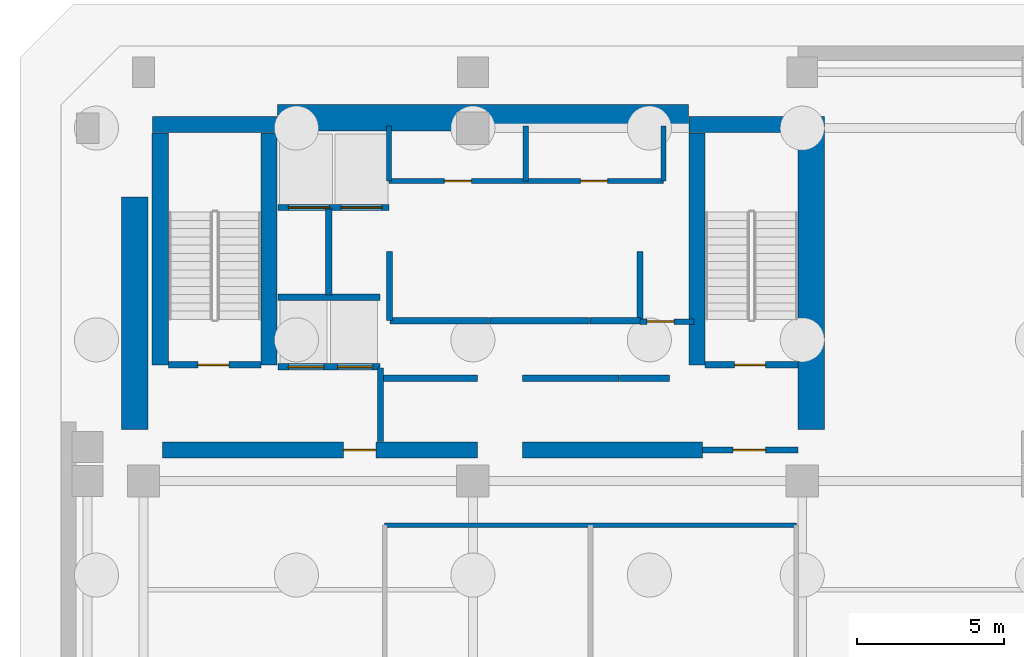
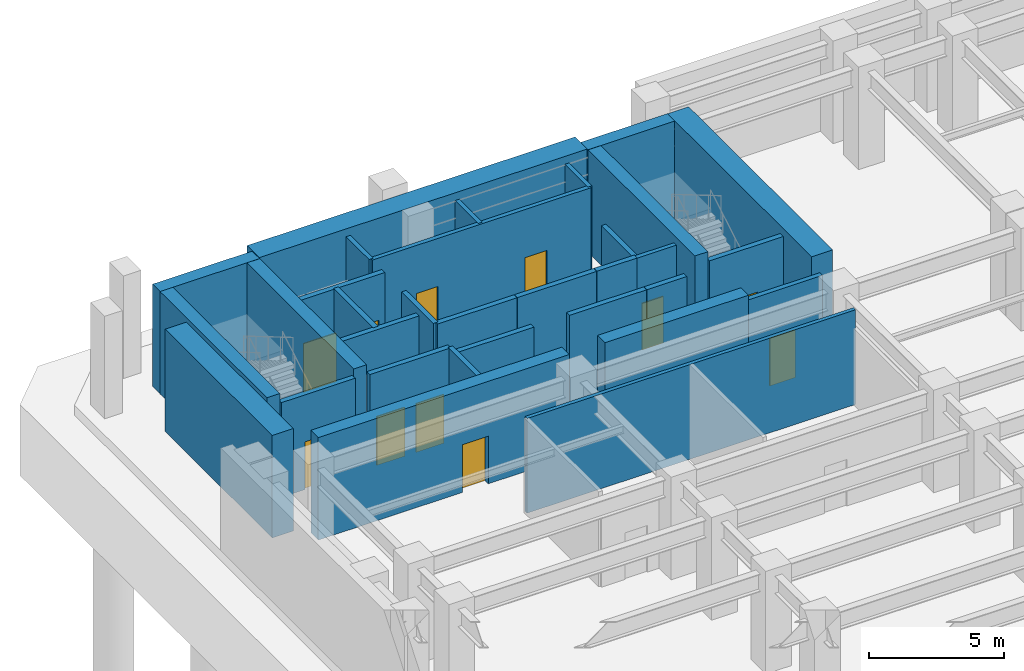
# One storey, part 8 of 13: 32 walls, 11 doors, 11 openings.
"""IFC4 building model written with IfcOpenShell, lengths in metres."""

from ifc_helpers import new_model, si_unit, direction, frame, frame_2d, origin, place, context, subcontext, project, spatial, rectangle, extrude, material, layer, layer_set, type_object, element, fill, save


model = new_model("IFC4")

# Units and contexts
model_context = context("Model", 3, precision=1e-05, world=origin(), true_north=direction((0.0, 1.0)))
body_context = subcontext(model_context, "Body", "Model", "MODEL_VIEW")
ifc_project = project(units=[si_unit("LENGTHUNIT", "METRE"), si_unit("AREAUNIT", "SQUARE_METRE"), si_unit("VOLUMEUNIT", "CUBIC_METRE"), si_unit("PLANEANGLEUNIT", "RADIAN"), si_unit("MASSUNIT", "GRAM", prefix="KILO")], contexts=[model_context])

# Site, building, storey
site_placement = place(None, origin())
site = spatial("IfcSite", under=ifc_project, at=site_placement, CompositionType="ELEMENT")
building_placement = place(site_placement, origin())
building = spatial("IfcBuilding", under=site, at=building_placement, Name="Kefirva Bronze Tower", CompositionType="ELEMENT")
storey_placement = place(building_placement, frame((0.0, 0.0, -9.239990234375)))
storey = spatial("IfcBuildingStorey", under=building, at=storey_placement, Name="B2", CompositionType="ELEMENT", Elevation=-9.239990234375)

# Wall, opening, door
ifc_material_1 = material(Name="Gypsum fireboard shaftwall")
ifc_layer_1 = layer(ifc_material_1, 0.219970703125, Name="Gypsum fireboard shaftwall")
ifc_layer_set_1 = layer_set([ifc_layer_1], Name="Gypsum fireboard shaftwall")
wall_type_1 = type_object("IfcWallType", Name="Fire-Rated Shaft Enclosure Wall 220mm", PredefinedType="PARTITIONING", material=ifc_layer_set_1)
wall_1_placement = place(storey_placement, frame((1.64990234375, 37.14990234375, 0.0), z_axis=(0.0, 0.0, 1.0), x_axis=(1.0, 0.0, 0.0)))
wall_1 = element("IfcWall", 1, at=wall_1_placement, inside=storey, type_object=wall_type_1, Name="B2 Partition W-B2-ST1S", PredefinedType="PARTITIONING", context=body_context, shape_type="SweptSolid", body=[
    extrude(rectangle(XDim=3.150146484375, YDim=0.219970703125, at=frame_2d((1.5751953125, 0.0))), origin(), (0.0, 0.0, 1.0), 4.27001953125),
])
opening_1_placement = place(wall_1_placement, frame((2.050048828125, 0.0, 0.0), z_axis=(0.0, 0.0, 1.0), x_axis=(-1.0, 0.0, 0.0)))
opening_1 = element("IfcOpeningElement", 2, at=opening_1_placement, cuts=wall_1, Name="Opening B2-D001", PredefinedType="OPENING", context=body_context, shape_type="SweptSolid", body=[
    extrude(rectangle(XDim=1.050048828125, YDim=2.14990234375, at=frame_2d((0.52490234375, 1.074951171875))), frame((0.0, 0.1201171875, 0.0), z_axis=(0.0, -1.0, 0.0), x_axis=(1.0, 0.0, 0.0)), (0.0, 0.0, 1.0), 0.239990234375),
])
ifc_material_2 = material(Name="Painted galvanized steel", Category="steel")
door_type_1 = type_object("IfcDoorType", Name="Fire Stair Enclosure Door 1050x2150 FD90S", OperationType="NOTDEFINED", PredefinedType="DOOR", material=ifc_material_2)
door_1_placement = place(opening_1_placement, origin())
door_1 = element("IfcDoor", 3, at=door_1_placement, inside=storey, type_object=door_type_1, Name="Door B2-D001", OperationType="SINGLE_SWING_RIGHT", OverallHeight=2.14990234375, OverallWidth=1.050048828125, PredefinedType="DOOR", context=body_context, shape_type="SweptSolid", body=[
    extrude(rectangle(XDim=1.050048828125, YDim=2.14990234375, at=frame_2d((0.52490234375, 1.074951171875))), frame((0.0, 0.02490234375, 0.0), z_axis=(0.0, -1.0, 0.0), x_axis=(1.0, 0.0, 0.0)), (0.0, 0.0, 1.0), 0.050048828125),
])
fill(opening_1, door_1)

wall_2_placement = place(storey_placement, frame((19.89990234375, 37.14990234375, 0.0), z_axis=(0.0, 0.0, 1.0), x_axis=(1.0, 0.0, 0.0)))
wall_2 = element("IfcWall", 4, at=wall_2_placement, inside=storey, type_object=wall_type_1, Name="B2 Partition W-B2-ST2S", PredefinedType="PARTITIONING", context=body_context, shape_type="SweptSolid", body=[
    extrude(rectangle(XDim=3.150146484375, YDim=0.219970703125, at=frame_2d((1.5751953125, 0.0))), origin(), (0.0, 0.0, 1.0), 4.27001953125),
])
opening_2_placement = place(wall_2_placement, frame((2.050048828125, 0.0, 0.0), z_axis=(0.0, 0.0, 1.0), x_axis=(-1.0, 0.0, 0.0)))
opening_2 = element("IfcOpeningElement", 5, at=opening_2_placement, cuts=wall_2, Name="Opening B2-D003", PredefinedType="OPENING", context=body_context, shape_type="SweptSolid", body=[
    extrude(rectangle(XDim=1.050048828125, YDim=2.14990234375, at=frame_2d((0.52490234375, 1.074951171875))), frame((0.0, 0.1201171875, 0.0), z_axis=(0.0, -1.0, 0.0), x_axis=(1.0, 0.0, 0.0)), (0.0, 0.0, 1.0), 0.239990234375),
])
door_2_placement = place(opening_2_placement, origin())
door_2 = element("IfcDoor", 6, at=door_2_placement, inside=storey, type_object=door_type_1, Name="Door B2-D003", OperationType="SINGLE_SWING_RIGHT", OverallHeight=2.14990234375, OverallWidth=1.050048828125, PredefinedType="DOOR", context=body_context, shape_type="SweptSolid", body=[
    extrude(rectangle(XDim=1.050048828125, YDim=2.14990234375, at=frame_2d((0.52490234375, 1.074951171875))), frame((0.0, 0.02490234375, 0.0), z_axis=(0.0, -1.0, 0.0), x_axis=(1.0, 0.0, 0.0)), (0.0, 0.0, 1.0), 0.050048828125),
])
fill(opening_2, door_2)

# Wall, openings, doors
wall_3_placement = place(storey_placement, frame((5.3798828125, 37.080078125, 0.0), z_axis=(0.0, 0.0, 1.0), x_axis=(1.0, 0.0, 0.0)))
wall_3 = element("IfcWall", 7, at=wall_3_placement, inside=storey, type_object=wall_type_1, Name="B2 Partition W-B2-FFS", PredefinedType="PARTITIONING", context=body_context, shape_type="SweptSolid", body=[
    extrude(rectangle(XDim=3.460205078125, YDim=0.219970703125, at=frame_2d((1.72998046875, 0.0))), origin(), (0.0, 0.0, 1.0), 4.27001953125),
])
opening_3_placement = place(wall_3_placement, frame((1.550048828125, 0.0, 0.0), z_axis=(0.0, 0.0, 1.0), x_axis=(-1.0, 0.0, 0.0)))
opening_3 = element("IfcOpeningElement", 8, at=opening_3_placement, cuts=wall_3, Name="Opening B2-LD-FF1", PredefinedType="OPENING", context=body_context, shape_type="SweptSolid", body=[
    extrude(rectangle(XDim=1.199951171875, YDim=2.199951171875, at=frame_2d((0.60009765625, 1.10009765625))), frame((0.0, 0.1201171875, 0.0), z_axis=(0.0, -1.0, 0.0), x_axis=(1.0, 0.0, 0.0)), (0.0, 0.0, 1.0), 0.239990234375),
])
opening_4_placement = place(wall_3_placement, frame((3.219970703125, 0.0, 0.0), z_axis=(0.0, 0.0, 1.0), x_axis=(-1.0, 0.0, 0.0)))
opening_4 = element("IfcOpeningElement", 9, at=opening_4_placement, cuts=wall_3, Name="Opening B2-LD-FF2", PredefinedType="OPENING", context=body_context, shape_type="SweptSolid", body=[
    extrude(rectangle(XDim=1.199951171875, YDim=2.199951171875, at=frame_2d((0.60009765625, 1.10009765625))), frame((0.0, 0.1201171875, 0.0), z_axis=(0.0, -1.0, 0.0), x_axis=(1.0, 0.0, 0.0)), (0.0, 0.0, 1.0), 0.239990234375),
])
ifc_material_3 = material(Name="Stainless steel 316", Category="steel")
door_type_2 = type_object("IfcDoorType", Name="Firefighting Lift Sliding Door 1200x2200", OperationType="SLIDING_TO_RIGHT", PredefinedType="DOOR", material=ifc_material_3)
door_3_placement = place(opening_3_placement, origin())
door_3 = element("IfcDoor", 10, at=door_3_placement, inside=storey, type_object=door_type_2, Name="Door B2-LD-FF1", OperationType="SLIDING_TO_RIGHT", OverallHeight=2.199951171875, OverallWidth=1.199951171875, PredefinedType="DOOR", context=body_context, shape_type="SweptSolid", body=[
    extrude(rectangle(XDim=1.199951171875, YDim=2.199951171875, at=frame_2d((0.60009765625, 1.10009765625))), frame((0.0, 0.02490234375, 0.0), z_axis=(0.0, -1.0, 0.0), x_axis=(1.0, 0.0, 0.0)), (0.0, 0.0, 1.0), 0.050048828125),
])
fill(opening_3, door_3)
door_4_placement = place(opening_4_placement, origin())
door_4 = element("IfcDoor", 11, at=door_4_placement, inside=storey, type_object=door_type_2, Name="Door B2-LD-FF2", OperationType="SLIDING_TO_RIGHT", OverallHeight=2.199951171875, OverallWidth=1.199951171875, PredefinedType="DOOR", context=body_context, shape_type="SweptSolid", body=[
    extrude(rectangle(XDim=1.199951171875, YDim=2.199951171875, at=frame_2d((0.60009765625, 1.10009765625))), frame((0.0, 0.02490234375, 0.0), z_axis=(0.0, -1.0, 0.0), x_axis=(1.0, 0.0, 0.0)), (0.0, 0.0, 1.0), 0.050048828125),
])
fill(opening_4, door_4)

# Wall
wall_4_placement = place(storey_placement, frame((5.3798828125, 39.449951171875, 0.0), z_axis=(0.0, 0.0, 1.0), x_axis=(1.0, 0.0, 0.0)))
element("IfcWall", 12, at=wall_4_placement, inside=storey, type_object=wall_type_1, Name="B2 Partition W-B2-FFN", PredefinedType="PARTITIONING", context=body_context, shape_type="SweptSolid", body=[
    extrude(rectangle(XDim=3.460205078125, YDim=0.219970703125, at=frame_2d((1.72998046875, 0.0))), origin(), (0.0, 0.0, 1.0), 4.27001953125),
])

# Wall, openings, doors
wall_5_placement = place(storey_placement, frame((5.3798828125, 42.5, 0.0), z_axis=(0.0, 0.0, 1.0), x_axis=(1.0, 0.0, 0.0)))
wall_5 = element("IfcWall", 13, at=wall_5_placement, inside=storey, type_object=wall_type_1, Name="B2 Partition W-B2-SVS", PredefinedType="PARTITIONING", context=body_context, shape_type="SweptSolid", body=[
    extrude(rectangle(XDim=3.77001953125, YDim=0.219970703125, at=frame_2d((1.885009765625, 0.0))), origin(), (0.0, 0.0, 1.0), 4.27001953125),
])
opening_5_placement = place(wall_5_placement, frame((1.75, 0.0, 0.0), z_axis=(0.0, 0.0, 1.0), x_axis=(-1.0, 0.0, 0.0)))
opening_5 = element("IfcOpeningElement", 14, at=opening_5_placement, cuts=wall_5, Name="Opening B2-LD-SV1", PredefinedType="OPENING", context=body_context, shape_type="SweptSolid", body=[
    extrude(rectangle(XDim=1.39990234375, YDim=2.199951171875, at=frame_2d((0.699951171875, 1.10009765625))), frame((0.0, 0.1201171875, 0.0), z_axis=(0.0, -1.0, 0.0), x_axis=(1.0, 0.0, 0.0)), (0.0, 0.0, 1.0), 0.239990234375),
])
opening_6_placement = place(wall_5_placement, frame((3.52978515625, 0.0, 0.0), z_axis=(0.0, 0.0, 1.0), x_axis=(-1.0, 0.0, 0.0)))
opening_6 = element("IfcOpeningElement", 15, at=opening_6_placement, cuts=wall_5, Name="Opening B2-LD-SV2", PredefinedType="OPENING", context=body_context, shape_type="SweptSolid", body=[
    extrude(rectangle(XDim=1.39990234375, YDim=2.199951171875, at=frame_2d((0.699951171875, 1.10009765625))), frame((0.0, 0.1201171875, 0.0), z_axis=(0.0, -1.0, 0.0), x_axis=(1.0, 0.0, 0.0)), (0.0, 0.0, 1.0), 0.239990234375),
])
door_type_3 = type_object("IfcDoorType", Name="Goods Lift Bi-Parting Sliding Door 1400x2200", OperationType="SLIDING_TO_LEFT", PredefinedType="DOOR", material=ifc_material_3)
door_5_placement = place(opening_5_placement, origin())
door_5 = element("IfcDoor", 16, at=door_5_placement, inside=storey, type_object=door_type_3, Name="Door B2-LD-SV1", OperationType="SLIDING_TO_LEFT", OverallHeight=2.199951171875, OverallWidth=1.39990234375, PredefinedType="DOOR", context=body_context, shape_type="SweptSolid", body=[
    extrude(rectangle(XDim=1.39990234375, YDim=2.199951171875, at=frame_2d((0.699951171875, 1.10009765625))), frame((0.0, 0.02490234375, 0.0), z_axis=(0.0, -1.0, 0.0), x_axis=(1.0, 0.0, 0.0)), (0.0, 0.0, 1.0), 0.050048828125),
])
fill(opening_5, door_5)
door_6_placement = place(opening_6_placement, origin())
door_6 = element("IfcDoor", 17, at=door_6_placement, inside=storey, type_object=door_type_3, Name="Door B2-LD-SV2", OperationType="SLIDING_TO_LEFT", OverallHeight=2.199951171875, OverallWidth=1.39990234375, PredefinedType="DOOR", context=body_context, shape_type="SweptSolid", body=[
    extrude(rectangle(XDim=1.39990234375, YDim=2.199951171875, at=frame_2d((0.699951171875, 1.10009765625))), frame((0.0, 0.02490234375, 0.0), z_axis=(0.0, -1.0, 0.0), x_axis=(1.0, 0.0, 0.0)), (0.0, 0.0, 1.0), 0.050048828125),
])
fill(opening_6, door_6)

# Walls
wall_6_placement = place(storey_placement, frame((7.10009765625, 39.52001953125, 0.0), z_axis=(0.0, 0.0, 1.0), x_axis=(0.0, 1.0, 0.0)))
element("IfcWall", 18, at=wall_6_placement, inside=storey, type_object=wall_type_1, Name="B2 Partition W-B2-HP3E", PredefinedType="PARTITIONING", context=body_context, shape_type="SweptSolid", body=[
    extrude(rectangle(XDim=2.929931640625, YDim=0.219970703125, at=frame_2d((1.46484375, 0.0))), origin(), (0.0, 0.0, 1.0), 4.27001953125),
])
for number, where, z_axis, x_axis, name in (
    (19, (9.159912109375, 38.64990234375, 0.0), (0.0, 0.0, 1.0), (0.0, 1.0, 0.0), "B2 Partition W-B2-LP3W"),
    (20, (17.679931640625, 38.64990234375, 0.0), (0.0, 0.0, 1.0), (0.0, 1.0, 0.0), "B2 Partition W-B2-HP2E"),
):
    element("IfcWall", number, at=place(storey_placement, frame(where, z_axis=z_axis, x_axis=x_axis)), inside=storey, type_object=wall_type_1, Name=name, PredefinedType="PARTITIONING", context=body_context, shape_type="SweptSolid", body=[
        extrude(rectangle(XDim=2.35009765625, YDim=0.199951171875, at=frame_2d((1.175048828125, 0.0))), origin(), (0.0, 0.0, 1.0), 4.27001953125),
    ])
wall_7_placement = place(storey_placement, frame((8.89990234375, 36.699951171875, 0.0), z_axis=(0.0, 0.0, 1.0), x_axis=(1.0, 0.0, 0.0)))
element("IfcWall", 21, at=wall_7_placement, inside=storey, type_object=wall_type_1, Name="B2 Partition W-B2-LPS", PredefinedType="PARTITIONING", context=body_context, shape_type="SweptSolid", body=[
    extrude(rectangle(XDim=3.260009765625, YDim=0.219970703125, at=frame_2d((1.6298828125, 0.0))), origin(), (0.0, 0.0, 1.0), 4.27001953125),
])
wall_8_placement = place(storey_placement, frame((9.179931640625, 38.64990234375, 0.0), z_axis=(0.0, 0.0, 1.0), x_axis=(1.0, 0.0, 0.0)))
element("IfcWall", 22, at=wall_8_placement, inside=storey, type_object=wall_type_1, Name="B2 Partition W-B2-LPN", PredefinedType="PARTITIONING", context=body_context, shape_type="SweptSolid", body=[
    extrude(rectangle(XDim=3.380126953125, YDim=0.219970703125, at=frame_2d((1.68994140625, 0.0))), origin(), (0.0, 0.0, 1.0), 4.27001953125),
])
wall_9_placement = place(storey_placement, frame((13.679931640625, 36.699951171875, 0.0), z_axis=(0.0, 0.0, 1.0), x_axis=(1.0, 0.0, 0.0)))
element("IfcWall", 23, at=wall_9_placement, inside=storey, type_object=wall_type_1, Name="B2 Partition W-B2-MPS", PredefinedType="PARTITIONING", context=body_context, shape_type="SweptSolid", body=[
    extrude(rectangle(XDim=3.280029296875, YDim=0.219970703125, at=frame_2d((1.64013671875, 0.0))), origin(), (0.0, 0.0, 1.0), 4.27001953125),
])
wall_10_placement = place(storey_placement, frame((12.580078125, 38.64990234375, 0.0), z_axis=(0.0, 0.0, 1.0), x_axis=(1.0, 0.0, 0.0)))
element("IfcWall", 24, at=wall_10_placement, inside=storey, type_object=wall_type_1, Name="B2 Partition W-B2-MPN", PredefinedType="PARTITIONING", context=body_context, shape_type="SweptSolid", body=[
    extrude(rectangle(XDim=3.3798828125, YDim=0.219970703125, at=frame_2d((1.68994140625, 0.0))), origin(), (0.0, 0.0, 1.0), 4.27001953125),
])
wall_11_placement = place(storey_placement, frame((16.97998046875, 36.699951171875, 0.0), z_axis=(0.0, 0.0, 1.0), x_axis=(1.0, 0.0, 0.0)))
element("IfcWall", 25, at=wall_11_placement, inside=storey, type_object=wall_type_1, Name="B2 Partition W-B2-HPS", PredefinedType="PARTITIONING", context=body_context, shape_type="SweptSolid", body=[
    extrude(rectangle(XDim=1.699951171875, YDim=0.219970703125, at=frame_2d((0.85009765625, 0.0))), origin(), (0.0, 0.0, 1.0), 4.27001953125),
])
wall_12_placement = place(storey_placement, frame((15.97998046875, 38.64990234375, 0.0), z_axis=(0.0, 0.0, 1.0), x_axis=(1.0, 0.0, 0.0)))
element("IfcWall", 26, at=wall_12_placement, inside=storey, type_object=wall_type_1, Name="B2 Partition W-B2-HPN", PredefinedType="PARTITIONING", context=body_context, shape_type="SweptSolid", body=[
    extrude(rectangle(XDim=1.719970703125, YDim=0.219970703125, at=frame_2d((0.85986328125, 0.0))), origin(), (0.0, 0.0, 1.0), 4.27001953125),
])
ifc_material_4 = material(Name="Gypsum fireboard barrier")
ifc_layer_2 = layer(ifc_material_4, 0.199951171875, Name="Gypsum fireboard barrier")
ifc_layer_set_2 = layer_set([ifc_layer_2], Name="Gypsum fireboard barrier")
wall_type_2 = type_object("IfcWallType", Name="Firefighting Lobby Barrier Wall 200mm", PredefinedType="PARTITIONING", material=ifc_layer_set_2)
wall_13_placement = place(storey_placement, frame((8.860107421875, 34.550048828125, 0.0), z_axis=(0.0, 0.0, 1.0), x_axis=(0.0, 1.0, 0.0)))
element("IfcWall", 27, at=wall_13_placement, inside=storey, type_object=wall_type_2, Name="B2 Partition W-B2-FFLE", PredefinedType="PARTITIONING", context=body_context, shape_type="SweptSolid", body=[
    extrude(rectangle(XDim=2.5, YDim=0.199951171875, at=frame_2d((1.25, 0.0))), origin(), (0.0, 0.0, 1.0), 4.27001953125),
])

# Wall, opening, door
wall_14_placement = place(storey_placement, frame((19.800048828125, 34.25, 0.0), z_axis=(0.0, 0.0, 1.0), x_axis=(1.0, 0.0, 0.0)))
wall_14 = element("IfcWall", 28, at=wall_14_placement, inside=storey, type_object=wall_type_2, Name="B2 Partition W-B2-ST2F", PredefinedType="PARTITIONING", context=body_context, shape_type="SweptSolid", body=[
    extrude(rectangle(XDim=3.25, YDim=0.199951171875, at=frame_2d((1.625, 0.0))), origin(), (0.0, 0.0, 1.0), 4.27001953125),
])
opening_7_placement = place(wall_14_placement, frame((2.150146484375, 0.0, 0.0), z_axis=(0.0, 0.0, 1.0), x_axis=(-1.0, 0.0, 0.0)))
opening_7 = element("IfcOpeningElement", 29, at=opening_7_placement, cuts=wall_14, Name="Opening B2-D004", PredefinedType="OPENING", context=body_context, shape_type="SweptSolid", body=[
    extrude(rectangle(XDim=1.10009765625, YDim=2.14990234375, at=frame_2d((0.550048828125, 1.074951171875))), frame((0.0, 0.10986328125, 0.0), z_axis=(0.0, -1.0, 0.0), x_axis=(1.0, 0.0, 0.0)), (0.0, 0.0, 1.0), 0.219970703125),
])
door_type_4 = type_object("IfcDoorType", Name="Firefighting Lobby Smoke Door 1100x2150 FD60S", OperationType="NOTDEFINED", PredefinedType="DOOR", material=ifc_material_2)
door_7_placement = place(opening_7_placement, origin())
door_7 = element("IfcDoor", 30, at=door_7_placement, inside=storey, type_object=door_type_4, Name="Door B2-D004", OperationType="SINGLE_SWING_LEFT", OverallHeight=2.14990234375, OverallWidth=1.10009765625, PredefinedType="DOOR", context=body_context, shape_type="SweptSolid", body=[
    extrude(rectangle(XDim=1.10009765625, YDim=2.14990234375, at=frame_2d((0.550048828125, 1.074951171875))), frame((0.0, 0.02490234375, 0.0), z_axis=(0.0, -1.0, 0.0), x_axis=(1.0, 0.0, 0.0)), (0.0, 0.0, 1.0), 0.050048828125),
])
fill(opening_7, door_7)

wall_15_placement = place(storey_placement, frame((17.679931640625, 38.6201171875, 0.0), z_axis=(0.0, 0.0, 1.0), x_axis=(1.0, 0.0, 0.0)))
wall_15 = element("IfcWall", 31, at=wall_15_placement, inside=storey, type_object=wall_type_2, Name="B2 Partition W-B2-CPASS", PredefinedType="PARTITIONING", context=body_context, shape_type="SweptSolid", body=[
    extrude(rectangle(XDim=1.840087890625, YDim=0.179931640625, at=frame_2d((0.919921875, 0.0))), origin(), (0.0, 0.0, 1.0), 4.27001953125),
])
opening_8_placement = place(wall_15_placement, frame((0.239990234375, 0.0, 0.0)))
opening_8 = element("IfcOpeningElement", 32, at=opening_8_placement, cuts=wall_15, Name="Opening B2-D-CPAS", PredefinedType="OPENING", context=body_context, shape_type="SweptSolid", body=[
    extrude(rectangle(XDim=0.919921875, YDim=2.10009765625, at=frame_2d((0.4599609375, 1.050048828125))), frame((0.0, 0.10009765625, 0.0), z_axis=(0.0, -1.0, 0.0), x_axis=(1.0, 0.0, 0.0)), (0.0, 0.0, 1.0), 0.199951171875),
])
ifc_material_5 = material(Name="Moisture-resistant timber", Category="wood")
door_type_5 = type_object("IfcDoorType", Name="Accessible Sanitary & WC Door 920x2100", OperationType="NOTDEFINED", PredefinedType="DOOR", material=ifc_material_5)
door_8_placement = place(opening_8_placement, origin())
door_8 = element("IfcDoor", 33, at=door_8_placement, inside=storey, type_object=door_type_5, Name="Door B2-D-CPAS", OperationType="SINGLE_SWING_RIGHT", OverallHeight=2.10009765625, OverallWidth=0.919921875, PredefinedType="DOOR", context=body_context, shape_type="SweptSolid", body=[
    extrude(rectangle(XDim=0.919921875, YDim=2.10009765625, at=frame_2d((0.4599609375, 1.050048828125))), frame((0.0, 0.02490234375, 0.0), z_axis=(0.0, -1.0, 0.0), x_axis=(1.0, 0.0, 0.0)), (0.0, 0.0, 1.0), 0.050048828125),
])
fill(opening_8, door_8)

# Walls
ifc_material_6 = material(Name="Gypsum acoustic partition")
ifc_layer_3 = layer(ifc_material_6, 0.159912109375, Name="Gypsum acoustic partition")
ifc_layer_set_3 = layer_set([ifc_layer_3], Name="Gypsum acoustic partition")
wall_type_3 = type_object("IfcWallType", Name="Protected Corridor Partition 160mm", PredefinedType="PARTITIONING", material=ifc_layer_set_3)
wall_16_placement = place(storey_placement, frame((9.0, 31.699951171875, 0.0), z_axis=(0.0, 0.0, 1.0), x_axis=(1.0, 0.0, 0.0)))
element("IfcWall", 34, at=wall_16_placement, inside=storey, type_object=wall_type_3, Name="B2 Partition W-B2-PLTN", PredefinedType="PARTITIONING", context=body_context, shape_type="SweptSolid", body=[
    extrude(rectangle(XDim=14.0, YDim=0.159912109375, at=frame_2d((7.0, 0.0))), origin(), (0.0, 0.0, 1.0), 4.27001953125),
])
ifc_material_7 = material(Name="Concrete C50/60", Category="concrete")
ifc_layer_4 = layer(ifc_material_7, 0.550048828125, Name="Concrete C50/60")
ifc_layer_set_4 = layer_set([ifc_layer_4], Name="Concrete C50/60")
wall_type_4 = type_object("IfcWallType", Name="RC Rear Core Interior Wall 550mm", PredefinedType="SHEAR", material=ifc_layer_set_4)
for number, where, z_axis, x_axis, name in (
    (35, (1.3701171875, 37.14990234375, 0.0), (0.0, 0.0, 1.0), (0.0, 1.0, 0.0), "B2 Stair 1 West Shear Wall"),
    (36, (5.070068359375, 37.14990234375, 0.0), (0.0, 0.0, 1.0), (0.0, 1.0, 0.0), "B2 Stair 1 East Shear Wall"),
):
    element("IfcWall", number, at=place(storey_placement, frame(where, z_axis=z_axis, x_axis=x_axis)), inside=storey, type_object=wall_type_4, Name=name, PredefinedType="SHEAR", context=body_context, shape_type="SweptSolid", body=[
        extrude(rectangle(XDim=7.89013671875, YDim=0.550048828125, at=frame_2d((3.945068359375, 0.0))), origin(), (0.0, 0.0, 1.0), 4.619873046875),
    ])
wall_17_placement = place(storey_placement, frame((1.10009765625, 45.320068359375, 0.0), z_axis=(0.0, 0.0, 1.0), x_axis=(1.0, 0.0, 0.0)))
element("IfcWall", 37, at=wall_17_placement, inside=storey, type_object=wall_type_4, Name="B2 Stair 1 North Shear Wall", PredefinedType="SHEAR", context=body_context, shape_type="SweptSolid", body=[
    extrude(rectangle(XDim=4.239990234375, YDim=0.550048828125, at=frame_2d((2.1201171875, 0.0))), origin(), (0.0, 0.0, 1.0), 4.619873046875),
])
wall_18_placement = place(storey_placement, frame((19.6201171875, 37.14990234375, 0.0), z_axis=(0.0, 0.0, 1.0), x_axis=(0.0, 1.0, 0.0)))
element("IfcWall", 38, at=wall_18_placement, inside=storey, type_object=wall_type_4, Name="B2 Stair 2 West Shear Wall", PredefinedType="SHEAR", context=body_context, shape_type="SweptSolid", body=[
    extrude(rectangle(XDim=7.89013671875, YDim=0.550048828125, at=frame_2d((3.945068359375, 0.0))), origin(), (0.0, 0.0, 1.0), 4.619873046875),
])
wall_19_placement = place(storey_placement, frame((19.35009765625, 45.320068359375, 0.0), z_axis=(0.0, 0.0, 1.0), x_axis=(1.0, 0.0, 0.0)))
element("IfcWall", 39, at=wall_19_placement, inside=storey, type_object=wall_type_4, Name="B2 Stair 2 North Shear Wall", PredefinedType="SHEAR", context=body_context, shape_type="SweptSolid", body=[
    extrude(rectangle(XDim=3.68994140625, YDim=0.550048828125, at=frame_2d((1.844970703125, 0.0))), origin(), (0.0, 0.0, 1.0), 4.619873046875),
])
ifc_material_8 = material(Name="Concrete C60/75", Category="concrete")
ifc_layer_5 = layer(ifc_material_8, 0.89990234375, Name="Concrete C60/75")
ifc_layer_set_5 = layer_set([ifc_layer_5], Name="Concrete C60/75")
wall_type_5 = type_object("IfcWallType", Name="RC Rear Core Interior Wall 900mm", PredefinedType="SHEAR", material=ifc_layer_set_5)
wall_20_placement = place(storey_placement, frame((5.360107421875, 45.550048828125, 0.0), z_axis=(0.0, 0.0, 1.0), x_axis=(1.0, 0.0, 0.0)))
element("IfcWall", 40, at=wall_20_placement, inside=storey, type_object=wall_type_5, Name="B2 Rear Core North Shear Wall", PredefinedType="SHEAR", context=body_context, shape_type="SweptSolid", body=[
    extrude(rectangle(XDim=13.97998046875, YDim=0.89990234375, at=frame_2d((6.989990234375, 0.0))), origin(), (0.0, 0.0, 1.0), 4.619873046875),
])
wall_21_placement = place(storey_placement, frame((0.5, 34.949951171875, 0.0), z_axis=(0.0, 0.0, 1.0), x_axis=(0.0, 1.0, 0.0)))
element("IfcWall", 41, at=wall_21_placement, inside=storey, type_object=wall_type_5, Name="B2 Rear Core West Shear Wall", PredefinedType="SHEAR", context=body_context, shape_type="SweptSolid", body=[
    extrude(rectangle(XDim=7.900146484375, YDim=0.89990234375, at=frame_2d((3.9501953125, 0.0))), origin(), (0.0, 0.0, 1.0), 4.619873046875),
])
wall_22_placement = place(storey_placement, frame((23.5, 34.949951171875, 0.0), z_axis=(0.0, 0.0, 1.0), x_axis=(0.0, 1.0, 0.0)))
element("IfcWall", 42, at=wall_22_placement, inside=storey, type_object=wall_type_5, Name="B2 Rear Core East Shear Wall", PredefinedType="SHEAR", context=body_context, shape_type="SweptSolid", body=[
    extrude(rectangle(XDim=10.64013671875, YDim=0.89990234375, at=frame_2d((5.320068359375, 0.0))), origin(), (0.0, 0.0, 1.0), 4.619873046875),
])

# Wall, opening, door
wall_23_placement = place(storey_placement, frame((1.449951171875, 34.25, 0.0), z_axis=(0.0, 0.0, 1.0), x_axis=(1.0, 0.0, 0.0)))
wall_23 = element("IfcWall", 43, at=wall_23_placement, inside=storey, type_object=wall_type_5, Name="B2 Rear Core South-West Shear Wall", PredefinedType="SHEAR", context=body_context, shape_type="SweptSolid", body=[
    extrude(rectangle(XDim=10.7099609375, YDim=0.550048828125, at=frame_2d((5.35498046875, 0.0))), origin(), (0.0, 0.0, 1.0), 4.619873046875),
])
opening_9_placement = place(wall_23_placement, frame((7.25, 0.0, 0.0), z_axis=(0.0, 0.0, 1.0), x_axis=(-1.0, 0.0, 0.0)))
opening_9 = element("IfcOpeningElement", 44, at=opening_9_placement, cuts=wall_23, Name="Opening B2-D002", PredefinedType="OPENING", context=body_context, shape_type="SweptSolid", body=[
    extrude(rectangle(XDim=1.10009765625, YDim=2.14990234375, at=frame_2d((0.550048828125, 1.074951171875))), frame((0.0, 0.28515625, 0.0), z_axis=(0.0, -1.0, 0.0), x_axis=(1.0, 0.0, 0.0)), (0.0, 0.0, 1.0), 0.570068359375),
])
door_9_placement = place(opening_9_placement, origin())
door_9 = element("IfcDoor", 45, at=door_9_placement, inside=storey, type_object=door_type_4, Name="Door B2-D002", OperationType="SINGLE_SWING_LEFT", OverallHeight=2.14990234375, OverallWidth=1.10009765625, PredefinedType="DOOR", context=body_context, shape_type="SweptSolid", body=[
    extrude(rectangle(XDim=1.10009765625, YDim=2.14990234375, at=frame_2d((0.550048828125, 1.074951171875))), frame((0.0, 0.02490234375, 0.0), z_axis=(0.0, -1.0, 0.0), x_axis=(1.0, 0.0, 0.0)), (0.0, 0.0, 1.0), 0.050048828125),
])
fill(opening_9, door_9)

# Wall
wall_24_placement = place(storey_placement, frame((13.679931640625, 34.25, 0.0), z_axis=(0.0, 0.0, 1.0), x_axis=(1.0, 0.0, 0.0)))
element("IfcWall", 46, at=wall_24_placement, inside=storey, type_object=wall_type_5, Name="B2 Rear Core South-East Shear Wall", PredefinedType="SHEAR", context=body_context, shape_type="SweptSolid", body=[
    extrude(rectangle(XDim=6.1201171875, YDim=0.550048828125, at=frame_2d((3.06005859375, 0.0))), origin(), (0.0, 0.0, 1.0), 4.619873046875),
])

# Wall, openings, doors
ifc_material_9 = material(Name="Moisture-resistant partition")
ifc_layer_6 = layer(ifc_material_9, 0.179931640625, Name="Moisture-resistant partition")
ifc_layer_set_6 = layer_set([ifc_layer_6], Name="Moisture-resistant partition")
wall_type_6 = type_object("IfcWallType", Name="Sanitary Plumbing Chase Wall 180mm", PredefinedType="PLUMBINGWALL", material=ifc_layer_set_6)
wall_25_placement = place(storey_placement, frame((9.14990234375, 43.39990234375, 0.0), z_axis=(0.0, 0.0, 1.0), x_axis=(1.0, 0.0, 0.0)))
wall_25 = element("IfcWall", 47, at=wall_25_placement, inside=storey, type_object=wall_type_6, Name="B2 Partition W-B2-SVCS", PredefinedType="PLUMBINGWALL", context=body_context, shape_type="SweptSolid", body=[
    extrude(rectangle(XDim=9.330078125, YDim=0.179931640625, at=frame_2d((4.6650390625, 0.0))), origin(), (0.0, 0.0, 1.0), 4.27001953125),
])
opening_10_placement = place(wall_25_placement, frame((1.8798828125, 0.0, 0.0)))
opening_10 = element("IfcOpeningElement", 48, at=opening_10_placement, cuts=wall_25, Name="Opening B2-D-CSVC1", PredefinedType="OPENING", context=body_context, shape_type="SweptSolid", body=[
    extrude(rectangle(XDim=0.919921875, YDim=2.10009765625, at=frame_2d((0.4599609375, 1.050048828125))), frame((0.0, 0.10009765625, 0.0), z_axis=(0.0, -1.0, 0.0), x_axis=(1.0, 0.0, 0.0)), (0.0, 0.0, 1.0), 0.199951171875),
])
opening_11_placement = place(wall_25_placement, frame((6.514892578125, 0.0, 0.0)))
opening_11 = element("IfcOpeningElement", 49, at=opening_11_placement, cuts=wall_25, Name="Opening B2-D-CSVC2", PredefinedType="OPENING", context=body_context, shape_type="SweptSolid", body=[
    extrude(rectangle(XDim=0.919921875, YDim=2.10009765625, at=frame_2d((0.4599609375, 1.050048828125))), frame((0.0, 0.10009765625, 0.0), z_axis=(0.0, -1.0, 0.0), x_axis=(1.0, 0.0, 0.0)), (0.0, 0.0, 1.0), 0.199951171875),
])
door_10_placement = place(opening_10_placement, origin())
door_10 = element("IfcDoor", 50, at=door_10_placement, inside=storey, type_object=door_type_5, Name="Door B2-D-CSVC1", OperationType="SINGLE_SWING_LEFT", OverallHeight=2.10009765625, OverallWidth=0.919921875, PredefinedType="DOOR", context=body_context, shape_type="SweptSolid", body=[
    extrude(rectangle(XDim=0.919921875, YDim=2.10009765625, at=frame_2d((0.4599609375, 1.050048828125))), frame((0.0, 0.02490234375, 0.0), z_axis=(0.0, -1.0, 0.0), x_axis=(1.0, 0.0, 0.0)), (0.0, 0.0, 1.0), 0.050048828125),
])
fill(opening_10, door_10)
door_11_placement = place(opening_11_placement, origin())
door_11 = element("IfcDoor", 51, at=door_11_placement, inside=storey, type_object=door_type_5, Name="Door B2-D-CSVC2", OperationType="SINGLE_SWING_RIGHT", OverallHeight=2.10009765625, OverallWidth=0.919921875, PredefinedType="DOOR", context=body_context, shape_type="SweptSolid", body=[
    extrude(rectangle(XDim=0.919921875, YDim=2.10009765625, at=frame_2d((0.4599609375, 1.050048828125))), frame((0.0, 0.02490234375, 0.0), z_axis=(0.0, -1.0, 0.0), x_axis=(1.0, 0.0, 0.0)), (0.0, 0.0, 1.0), 0.050048828125),
])
fill(opening_11, door_11)

# Walls
for number, where, z_axis, x_axis, name in (
    (52, (9.14990234375, 43.39990234375, 0.0), (0.0, 0.0, 1.0), (0.0, 1.0, 0.0), "B2 Partition W-B2-SVCW"),
    (53, (18.47998046875, 43.39990234375, 0.0), (0.0, 0.0, 1.0), (0.0, 1.0, 0.0), "B2 Partition W-B2-SVCE"),
    (54, (13.800048828125, 43.39990234375, 0.0), (0.0, 0.0, 1.0), (0.0, 1.0, 0.0), "B2 Partition W-B2-CSVD-1"),
):
    element("IfcWall", number, at=place(storey_placement, frame(where, z_axis=z_axis, x_axis=x_axis)), inside=storey, type_object=wall_type_6, Name=name, PredefinedType="PLUMBINGWALL", context=body_context, shape_type="SweptSolid", body=[
        extrude(rectangle(XDim=1.880126953125, YDim=0.179931640625, at=frame_2d((0.93994140625, 0.0))), origin(), (0.0, 0.0, 1.0), 4.27001953125),
    ])

save(model, "model.ifc")
